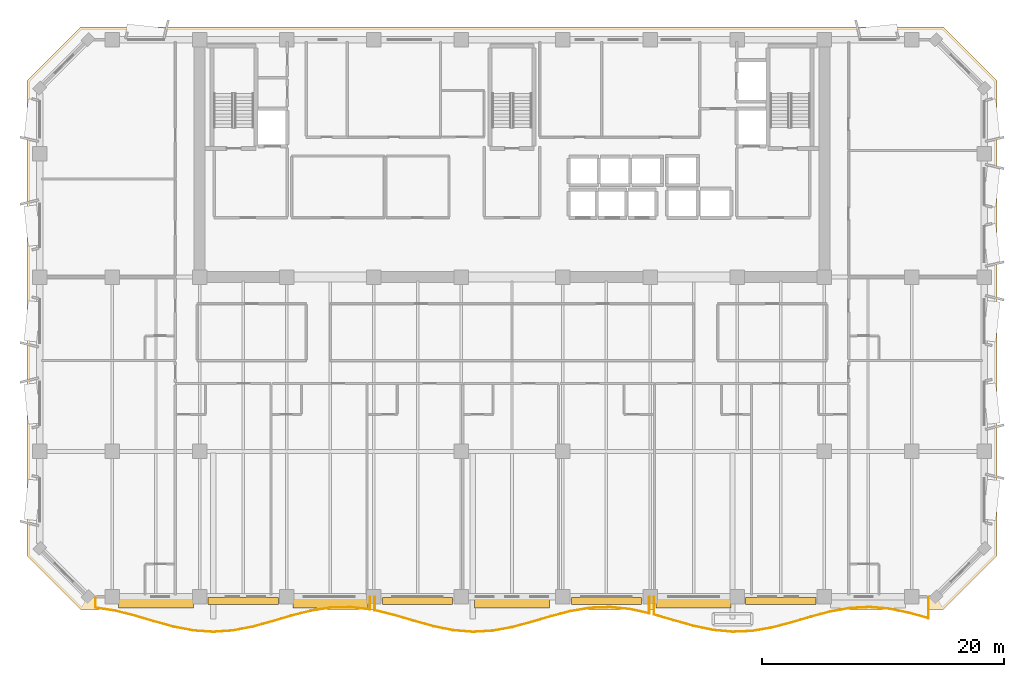
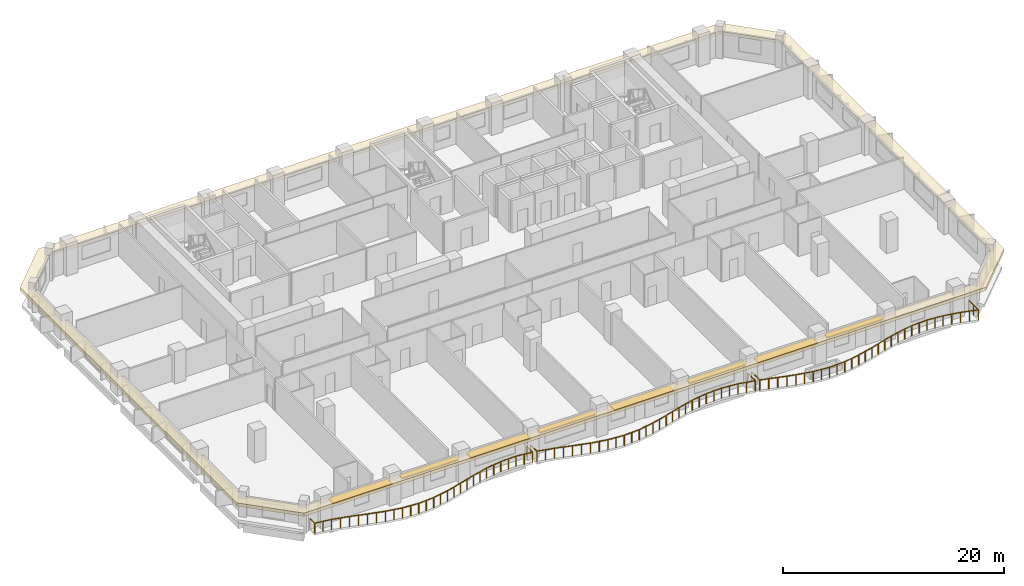
# One storey, part 11 of 15: 8 shading devices, 3 railings, 1 covering.
"""IFC4 building model written with IfcOpenShell, lengths in metres."""

from ifc_helpers import new_model, si_unit, direction, frame, origin, origin_2d, place, context, subcontext, project, spatial, polyline, rectangle, outline, extrude, material, layer, layer_set, type_object, element, save


model = new_model("IFC4")

# Units and contexts
model_context = context("Model", 3, precision=1e-05, world=origin(), true_north=direction((0.0, 1.0)))
body_context = subcontext(model_context, "Body", "Model", "MODEL_VIEW")
ifc_project = project(units=[si_unit("LENGTHUNIT", "METRE"), si_unit("AREAUNIT", "SQUARE_METRE"), si_unit("VOLUMEUNIT", "CUBIC_METRE"), si_unit("PLANEANGLEUNIT", "RADIAN"), si_unit("MASSUNIT", "GRAM", prefix="KILO")], contexts=[model_context])

# Site, building, storey
site_placement = place(None, origin())
site = spatial("IfcSite", under=ifc_project, at=site_placement, CompositionType="ELEMENT")
building_placement = place(site_placement, origin())
building = spatial("IfcBuilding", under=site, at=building_placement, Name="Kaelvorn Grand Hotel", CompositionType="ELEMENT")
storey_placement = place(building_placement, frame((0.0, 0.0, 177.14990234375)))
storey = spatial("IfcBuildingStorey", under=building, at=storey_placement, Name="L43", CompositionType="ELEMENT", Elevation=177.14990234375)

# Covering
ifc_material_1 = material(Name="Precast concrete C45/55", Category="concrete")
ifc_layer_1 = layer(ifc_material_1, 0.260009765625)
ifc_layer_set_1 = layer_set([ifc_layer_1], Name="Precast concrete C45/55")
covering_type = type_object("IfcCoveringType", Name="COV-BAND-STREAMLINE-HEAD", PredefinedType="CLADDING", material=ifc_layer_set_1)
covering_placement = place(storey_placement, frame((0.0, 0.0, 2.380126953125)))
element("IfcCovering", 1, at=covering_placement, inside=storey, type_object=covering_type, Name="L43 Streamline Moderne Wraparound Horizontal Eyebrow Band", PredefinedType="CLADDING", context=body_context, shape_type="SweptSolid", body=[
    extrude(outline(polyline([(6.389892578125, 1.949951171875), (77.610107421875, 1.949951171875), (82.050048828125, 6.389892578125), (82.050048828125, 45.610107421875), (77.610107421875, 50.050048828125), (6.389892578125, 50.050048828125), (1.949951171875, 45.610107421875), (1.949951171875, 6.389892578125), (6.389892578125, 1.949951171875)]), holes=[polyline([(7.02001953125, 3.030029296875), (76.97998046875, 3.030029296875), (80.969970703125, 7.02001953125), (80.969970703125, 44.97998046875), (76.97998046875, 48.969970703125), (7.02001953125, 48.969970703125), (3.030029296875, 44.97998046875), (3.030029296875, 7.02001953125), (7.02001953125, 3.030029296875)])]), origin(), (0.0, 0.0, 1.0), 0.35986328125),
])

# Railings
ifc_material_2 = material(Name="Stainless Steel", Category="steel")
railing_type = type_object("IfcRailingType", Name="RL-BALC-1150", PredefinedType="BALUSTRADE", material=ifc_material_2)
railing_1_placement = place(storey_placement, frame((7.60009765625, 3.0, 0.0)))
element("IfcRailing", 2, at=railing_1_placement, inside=storey, type_object=railing_type, Name="L43 Scalloped Wave Balcony Balustrade GR1-1", PredefinedType="BALUSTRADE", context=body_context, shape_type="SweptSolid", body=[
    extrude(rectangle(XDim=0.048095703125, YDim=0.048095703125, at=origin_2d()), frame((0.0, 0.0, 1.1259765625), z_axis=(0.0, -1.0, 0.0), x_axis=(1.0, 0.0, 0.0)), (0.0, 0.0, 1.0), 0.900146484375),
    extrude(rectangle(XDim=0.048095703125, YDim=0.048095703125, at=origin_2d()), frame((0.0, -0.900146484375, 1.1259765625), z_axis=(0.988307858042, -0.152471563682, 0.0), x_axis=(0.152471563682, 0.988307858042, 0.0)), (0.0, 0.0, 1.0), 1.637939453125),
    extrude(rectangle(XDim=0.048095703125, YDim=0.048095703125, at=origin_2d()), frame((1.618896484375, -1.14990234375, 1.1259765625), z_axis=(0.969728239304, -0.244186694758, 0.0), x_axis=(0.244186694758, 0.969728239304, 0.0)), (0.0, 0.0, 1.0), 1.669677734375),
    extrude(rectangle(XDim=0.048095703125, YDim=0.048095703125, at=origin_2d()), frame((3.238037109375, -1.5576171875, 1.1259765625), z_axis=(0.959259470677, -0.282526579133, 0.0), x_axis=(0.282526579133, 0.959259470677, 0.0)), (0.0, 0.0, 1.0), 1.687744140625),
    extrude(rectangle(XDim=0.048095703125, YDim=0.048095703125, at=origin_2d()), frame((4.85693359375, -2.034423828125, 1.1259765625), z_axis=(0.964679853883, -0.26342509279, 0.0), x_axis=(0.26342509279, 0.964679853883, 0.0)), (0.0, 0.0, 1.0), 1.678466796875),
    extrude(rectangle(XDim=0.048095703125, YDim=0.048095703125, at=origin_2d()), frame((6.47607421875, -2.4765625, 1.1259765625), z_axis=(0.982044449616, -0.188649672619, 0.0), x_axis=(0.188649672619, 0.982044449616, 0.0)), (0.0, 0.0, 1.0), 1.648681640625),
    extrude(rectangle(XDim=0.048095703125, YDim=0.048095703125, at=origin_2d()), frame((8.09521484375, -2.78759765625, 1.1259765625), z_axis=(0.997602472626, -0.069204816379, 0.0), x_axis=(0.069204816379, 0.997602472626, 0.0)), (0.0, 0.0, 1.0), 1.622802734375),
    extrude(rectangle(XDim=0.048095703125, YDim=0.048095703125, at=origin_2d()), frame((9.714111328125, -2.89990234375, 1.1259765625), z_axis=(0.997665093232, 0.068296132739, 0.0), x_axis=(-0.068296132739, 0.997665093232, 0.0)), (0.0, 0.0, 1.0), 1.623046875),
    extrude(rectangle(XDim=0.048095703125, YDim=0.048095703125, at=origin_2d()), frame((11.333251953125, -2.7890625, 1.1259765625), z_axis=(0.982181374251, 0.187935489132, 0.0), x_axis=(-0.187935489132, 0.982181374251, 0.0)), (0.0, 0.0, 1.0), 1.6484375),
    extrude(rectangle(XDim=0.048095703125, YDim=0.048095703125, at=origin_2d()), frame((12.952392578125, -2.479248046875, 1.1259765625), z_axis=(0.964780607215, 0.263055849471, 0.0), x_axis=(-0.263055849471, 0.964780607215, 0.0)), (0.0, 0.0, 1.0), 1.677978515625),
    extrude(rectangle(XDim=0.048095703125, YDim=0.048095703125, at=origin_2d()), frame((14.5712890625, -2.037841796875, 1.1259765625), z_axis=(0.959271015447, 0.282487378343, 0.0), x_axis=(-0.282487378343, 0.959271015447, 0.0)), (0.0, 0.0, 1.0), 1.68798828125),
    extrude(rectangle(XDim=0.048095703125, YDim=0.048095703125, at=origin_2d()), frame((16.1904296875, -1.56103515625, 1.1259765625), z_axis=(0.969580848493, 0.244771277391, 0.0), x_axis=(-0.244771277391, 0.969580848493, 0.0)), (0.0, 0.0, 1.0), 1.669677734375),
    extrude(rectangle(XDim=0.048095703125, YDim=0.048095703125, at=origin_2d()), frame((17.809326171875, -1.15234375, 1.1259765625), z_axis=(0.988176238823, 0.15332227831, 0.0), x_axis=(-0.15332227831, 0.988176238823, 0.0)), (0.0, 0.0, 1.0), 1.638427734375),
    extrude(rectangle(XDim=0.048095703125, YDim=0.048095703125, at=origin_2d()), frame((19.428466796875, -0.901123046875, 1.1259765625), z_axis=(0.999709108251, 0.024118434457, 0.0), x_axis=(-0.024118434457, 0.999709108251, 0.0)), (0.0, 0.0, 1.0), 1.61962890625),
    extrude(rectangle(XDim=0.048095703125, YDim=0.048095703125, at=origin_2d()), frame((21.047607421875, -0.862060546875, 1.1259765625), z_axis=(0.993780958286, -0.111352624341, 0.0), x_axis=(0.111352624341, 0.993780958286, 0.0)), (0.0, 0.0, 1.0), 1.62890625),
    extrude(rectangle(XDim=0.048095703125, YDim=0.048095703125, at=origin_2d()), frame((22.66650390625, -1.04345703125, 1.1259765625), z_axis=(0.0, 1.0, 0.0), x_axis=(-1.0, 0.0, 0.0)), (0.0, 0.0, 1.0), 1.04345703125),
    extrude(rectangle(XDim=0.0419921875, YDim=0.0419921875, at=origin_2d()), origin(), (0.0, 0.0, 1.0), 1.101806640625),
    extrude(rectangle(XDim=0.0419921875, YDim=0.0419921875, at=origin_2d()), frame((0.0, -0.900146484375, 0.0)), (0.0, 0.0, 1.0), 1.101806640625),
    extrude(rectangle(XDim=0.0419921875, YDim=0.0419921875, at=origin_2d()), frame((0.8095703125, -1.02490234375, 0.0)), (0.0, 0.0, 1.0), 1.101806640625),
    extrude(rectangle(XDim=0.0419921875, YDim=0.0419921875, at=origin_2d()), frame((1.618896484375, -1.14990234375, 0.0)), (0.0, 0.0, 1.0), 1.101806640625),
    extrude(rectangle(XDim=0.0419921875, YDim=0.0419921875, at=origin_2d()), frame((2.428466796875, -1.353759765625, 0.0)), (0.0, 0.0, 1.0), 1.101806640625),
    extrude(rectangle(XDim=0.0419921875, YDim=0.0419921875, at=origin_2d()), frame((3.238037109375, -1.5576171875, 0.0)), (0.0, 0.0, 1.0), 1.101806640625),
    extrude(rectangle(XDim=0.0419921875, YDim=0.0419921875, at=origin_2d()), frame((4.04736328125, -1.7958984375, 0.0)), (0.0, 0.0, 1.0), 1.101806640625),
    extrude(rectangle(XDim=0.0419921875, YDim=0.0419921875, at=origin_2d()), frame((4.85693359375, -2.034423828125, 0.0)), (0.0, 0.0, 1.0), 1.101806640625),
    extrude(rectangle(XDim=0.0419921875, YDim=0.0419921875, at=origin_2d()), frame((5.66650390625, -2.25537109375, 0.0)), (0.0, 0.0, 1.0), 1.101806640625),
    extrude(rectangle(XDim=0.0419921875, YDim=0.0419921875, at=origin_2d()), frame((6.47607421875, -2.4765625, 0.0)), (0.0, 0.0, 1.0), 1.101806640625),
    extrude(rectangle(XDim=0.0419921875, YDim=0.0419921875, at=origin_2d()), frame((7.28564453125, -2.632080078125, 0.0)), (0.0, 0.0, 1.0), 1.101806640625),
    extrude(rectangle(XDim=0.0419921875, YDim=0.0419921875, at=origin_2d()), frame((8.09521484375, -2.78759765625, 0.0)), (0.0, 0.0, 1.0), 1.101806640625),
    extrude(rectangle(XDim=0.0419921875, YDim=0.0419921875, at=origin_2d()), frame((8.90478515625, -2.84375, 0.0)), (0.0, 0.0, 1.0), 1.101806640625),
    extrude(rectangle(XDim=0.0419921875, YDim=0.0419921875, at=origin_2d()), frame((9.714111328125, -2.89990234375, 0.0)), (0.0, 0.0, 1.0), 1.101806640625),
    extrude(rectangle(XDim=0.0419921875, YDim=0.0419921875, at=origin_2d()), frame((10.523681640625, -2.844482421875, 0.0)), (0.0, 0.0, 1.0), 1.101806640625),
    extrude(rectangle(XDim=0.0419921875, YDim=0.0419921875, at=origin_2d()), frame((11.333251953125, -2.7890625, 0.0)), (0.0, 0.0, 1.0), 1.101806640625),
    extrude(rectangle(XDim=0.0419921875, YDim=0.0419921875, at=origin_2d()), frame((12.142822265625, -2.63427734375, 0.0)), (0.0, 0.0, 1.0), 1.101806640625),
    extrude(rectangle(XDim=0.0419921875, YDim=0.0419921875, at=origin_2d()), frame((12.952392578125, -2.479248046875, 0.0)), (0.0, 0.0, 1.0), 1.101806640625),
    extrude(rectangle(XDim=0.0419921875, YDim=0.0419921875, at=origin_2d()), frame((13.76171875, -2.258544921875, 0.0)), (0.0, 0.0, 1.0), 1.101806640625),
    extrude(rectangle(XDim=0.0419921875, YDim=0.0419921875, at=origin_2d()), frame((14.5712890625, -2.037841796875, 0.0)), (0.0, 0.0, 1.0), 1.101806640625),
    extrude(rectangle(XDim=0.0419921875, YDim=0.0419921875, at=origin_2d()), frame((15.380859375, -1.79931640625, 0.0)), (0.0, 0.0, 1.0), 1.101806640625),
    extrude(rectangle(XDim=0.0419921875, YDim=0.0419921875, at=origin_2d()), frame((16.1904296875, -1.56103515625, 0.0)), (0.0, 0.0, 1.0), 1.101806640625),
    extrude(rectangle(XDim=0.0419921875, YDim=0.0419921875, at=origin_2d()), frame((17.0, -1.356689453125, 0.0)), (0.0, 0.0, 1.0), 1.101806640625),
    extrude(rectangle(XDim=0.0419921875, YDim=0.0419921875, at=origin_2d()), frame((17.809326171875, -1.15234375, 0.0)), (0.0, 0.0, 1.0), 1.101806640625),
    extrude(rectangle(XDim=0.0419921875, YDim=0.0419921875, at=origin_2d()), frame((18.618896484375, -1.02685546875, 0.0)), (0.0, 0.0, 1.0), 1.101806640625),
    extrude(rectangle(XDim=0.0419921875, YDim=0.0419921875, at=origin_2d()), frame((19.428466796875, -0.901123046875, 0.0)), (0.0, 0.0, 1.0), 1.101806640625),
    extrude(rectangle(XDim=0.0419921875, YDim=0.0419921875, at=origin_2d()), frame((20.238037109375, -0.881591796875, 0.0)), (0.0, 0.0, 1.0), 1.101806640625),
    extrude(rectangle(XDim=0.0419921875, YDim=0.0419921875, at=origin_2d()), frame((21.047607421875, -0.862060546875, 0.0)), (0.0, 0.0, 1.0), 1.101806640625),
    extrude(rectangle(XDim=0.0419921875, YDim=0.0419921875, at=origin_2d()), frame((21.85693359375, -0.95263671875, 0.0)), (0.0, 0.0, 1.0), 1.101806640625),
    extrude(rectangle(XDim=0.0419921875, YDim=0.0419921875, at=origin_2d()), frame((22.66650390625, -1.04345703125, 0.0)), (0.0, 0.0, 1.0), 1.101806640625),
    extrude(rectangle(XDim=0.0419921875, YDim=0.0419921875, at=origin_2d()), frame((22.66650390625, 0.0, 0.0)), (0.0, 0.0, 1.0), 1.101806640625),
])
railing_2_placement = place(storey_placement, frame((30.666748046875, 3.0, 0.0)))
element("IfcRailing", 3, at=railing_2_placement, inside=storey, type_object=railing_type, Name="L43 Scalloped Wave Balcony Balustrade GR1-2", PredefinedType="BALUSTRADE", context=body_context, shape_type="SweptSolid", body=[
    extrude(rectangle(XDim=0.048095703125, YDim=0.048095703125, at=origin_2d()), frame((0.0, 0.0, 1.1259765625), z_axis=(0.0, -1.0, 0.0), x_axis=(1.0, 0.0, 0.0)), (0.0, 0.0, 1.0), 1.11865234375),
    extrude(rectangle(XDim=0.048095703125, YDim=0.048095703125, at=origin_2d()), frame((0.0, -1.11865234375, 1.1259765625), z_axis=(0.9713283842, -0.237741813838, 0.0), x_axis=(0.237741813838, 0.9713283842, 0.0)), (0.0, 0.0, 1.0), 1.666748046875),
    extrude(rectangle(XDim=0.048095703125, YDim=0.048095703125, at=origin_2d()), frame((1.618896484375, -1.514892578125, 1.1259765625), z_axis=(0.959623156728, -0.281288814337, 0.0), x_axis=(0.281288814337, 0.959623156728, 0.0)), (0.0, 0.0, 1.0), 1.687255859375),
    extrude(rectangle(XDim=0.048095703125, YDim=0.048095703125, at=origin_2d()), frame((3.238037109375, -1.989501953125, 1.1259765625), z_axis=(0.963526234918, -0.267613890941, 0.0), x_axis=(0.267613890941, 0.963526234918, 0.0)), (0.0, 0.0, 1.0), 1.680419921875),
    extrude(rectangle(XDim=0.048095703125, YDim=0.048095703125, at=origin_2d()), frame((4.857177734375, -2.439208984375, 1.1259765625), z_axis=(0.980215115577, -0.197935159065, 0.0), x_axis=(0.197935159065, 0.980215115577, 0.0)), (0.0, 0.0, 1.0), 1.651611328125),
    extrude(rectangle(XDim=0.048095703125, YDim=0.048095703125, at=origin_2d()), frame((6.47607421875, -2.76611328125, 1.1259765625), z_axis=(0.996652705427, -0.081751971012, 0.0), x_axis=(0.081751971012, 0.996652705427, 0.0)), (0.0, 0.0, 1.0), 1.62451171875),
    extrude(rectangle(XDim=0.048095703125, YDim=0.048095703125, at=origin_2d()), frame((8.09521484375, -2.89892578125, 1.1259765625), z_axis=(0.998455252645, 0.055561753616, 0.0), x_axis=(-0.055561753616, 0.998455252645, 0.0)), (0.0, 0.0, 1.0), 1.621337890625),
    extrude(rectangle(XDim=0.048095703125, YDim=0.048095703125, at=origin_2d()), frame((9.714111328125, -2.808837890625, 1.1259765625), z_axis=(0.983969459858, 0.178337046253, 0.0), x_axis=(-0.178337046253, 0.983969459858, 0.0)), (0.0, 0.0, 1.0), 1.6455078125),
    extrude(rectangle(XDim=0.048095703125, YDim=0.048095703125, at=origin_2d()), frame((11.333251953125, -2.515380859375, 1.1259765625), z_axis=(0.966072760568, 0.258270054959, 0.0), x_axis=(-0.258270054959, 0.966072760568, 0.0)), (0.0, 0.0, 1.0), 1.676025390625),
    extrude(rectangle(XDim=0.048095703125, YDim=0.048095703125, at=origin_2d()), frame((12.952392578125, -2.08251953125, 1.1259765625), z_axis=(0.959063249993, 0.283191953474, 0.0), x_axis=(-0.283191953474, 0.959063249993, 0.0)), (0.0, 0.0, 1.0), 1.68798828125),
    extrude(rectangle(XDim=0.048095703125, YDim=0.048095703125, at=origin_2d()), frame((14.5712890625, -1.6044921875, 1.1259765625), z_axis=(0.968082211029, 0.250632864345, 0.0), x_axis=(-0.250632864345, 0.968082211029, 0.0)), (0.0, 0.0, 1.0), 1.672607421875),
    extrude(rectangle(XDim=0.048095703125, YDim=0.048095703125, at=origin_2d()), frame((16.1904296875, -1.185302734375, 1.1259765625), z_axis=(0.986470210909, 0.163940608117, 0.0), x_axis=(-0.163940608117, 0.986470210909, 0.0)), (0.0, 0.0, 1.0), 1.64111328125),
    extrude(rectangle(XDim=0.048095703125, YDim=0.048095703125, at=origin_2d()), frame((17.809326171875, -0.916259765625, 1.1259765625), z_axis=(0.999312768097, 0.037067391579, 0.0), x_axis=(-0.037067391579, 0.999312768097, 0.0)), (0.0, 0.0, 1.0), 1.620361328125),
    extrude(rectangle(XDim=0.048095703125, YDim=0.048095703125, at=origin_2d()), frame((19.428466796875, -0.856201171875, 1.1259765625), z_axis=(0.995069818667, -0.099176892361, 0.0), x_axis=(0.099176892361, 0.995069818667, 0.0)), (0.0, 0.0, 1.0), 1.627197265625),
    extrude(rectangle(XDim=0.048095703125, YDim=0.048095703125, at=origin_2d()), frame((21.047607421875, -1.017578125, 1.1259765625), z_axis=(0.977618649076, -0.210384830679, 0.0), x_axis=(0.210384830679, 0.977618649076, 0.0)), (0.0, 0.0, 1.0), 1.656005859375),
    extrude(rectangle(XDim=0.048095703125, YDim=0.048095703125, at=origin_2d()), frame((22.66650390625, -1.365966796875, 1.1259765625), z_axis=(0.0, 1.0, 0.0), x_axis=(-1.0, 0.0, 0.0)), (0.0, 0.0, 1.0), 1.365966796875),
    extrude(rectangle(XDim=0.0419921875, YDim=0.0419921875, at=origin_2d()), origin(), (0.0, 0.0, 1.0), 1.101806640625),
    extrude(rectangle(XDim=0.0419921875, YDim=0.0419921875, at=origin_2d()), frame((0.0, -1.11865234375, 0.0)), (0.0, 0.0, 1.0), 1.101806640625),
    extrude(rectangle(XDim=0.0419921875, YDim=0.0419921875, at=origin_2d()), frame((0.8095703125, -1.31689453125, 0.0)), (0.0, 0.0, 1.0), 1.101806640625),
    extrude(rectangle(XDim=0.0419921875, YDim=0.0419921875, at=origin_2d()), frame((1.618896484375, -1.514892578125, 0.0)), (0.0, 0.0, 1.0), 1.101806640625),
    extrude(rectangle(XDim=0.0419921875, YDim=0.0419921875, at=origin_2d()), frame((2.428466796875, -1.752197265625, 0.0)), (0.0, 0.0, 1.0), 1.101806640625),
    extrude(rectangle(XDim=0.0419921875, YDim=0.0419921875, at=origin_2d()), frame((3.238037109375, -1.989501953125, 0.0)), (0.0, 0.0, 1.0), 1.101806640625),
    extrude(rectangle(XDim=0.0419921875, YDim=0.0419921875, at=origin_2d()), frame((4.047607421875, -2.21435546875, 0.0)), (0.0, 0.0, 1.0), 1.101806640625),
    extrude(rectangle(XDim=0.0419921875, YDim=0.0419921875, at=origin_2d()), frame((4.857177734375, -2.439208984375, 0.0)), (0.0, 0.0, 1.0), 1.101806640625),
    extrude(rectangle(XDim=0.0419921875, YDim=0.0419921875, at=origin_2d()), frame((5.66650390625, -2.6025390625, 0.0)), (0.0, 0.0, 1.0), 1.101806640625),
    extrude(rectangle(XDim=0.0419921875, YDim=0.0419921875, at=origin_2d()), frame((6.47607421875, -2.76611328125, 0.0)), (0.0, 0.0, 1.0), 1.101806640625),
    extrude(rectangle(XDim=0.0419921875, YDim=0.0419921875, at=origin_2d()), frame((7.28564453125, -2.83251953125, 0.0)), (0.0, 0.0, 1.0), 1.101806640625),
    extrude(rectangle(XDim=0.0419921875, YDim=0.0419921875, at=origin_2d()), frame((8.09521484375, -2.89892578125, 0.0)), (0.0, 0.0, 1.0), 1.101806640625),
    extrude(rectangle(XDim=0.0419921875, YDim=0.0419921875, at=origin_2d()), frame((8.90478515625, -2.85400390625, 0.0)), (0.0, 0.0, 1.0), 1.101806640625),
    extrude(rectangle(XDim=0.0419921875, YDim=0.0419921875, at=origin_2d()), frame((9.714111328125, -2.808837890625, 0.0)), (0.0, 0.0, 1.0), 1.101806640625),
    extrude(rectangle(XDim=0.0419921875, YDim=0.0419921875, at=origin_2d()), frame((10.523681640625, -2.662109375, 0.0)), (0.0, 0.0, 1.0), 1.101806640625),
    extrude(rectangle(XDim=0.0419921875, YDim=0.0419921875, at=origin_2d()), frame((11.333251953125, -2.515380859375, 0.0)), (0.0, 0.0, 1.0), 1.101806640625),
    extrude(rectangle(XDim=0.0419921875, YDim=0.0419921875, at=origin_2d()), frame((12.142822265625, -2.298828125, 0.0)), (0.0, 0.0, 1.0), 1.101806640625),
    extrude(rectangle(XDim=0.0419921875, YDim=0.0419921875, at=origin_2d()), frame((12.952392578125, -2.08251953125, 0.0)), (0.0, 0.0, 1.0), 1.101806640625),
    extrude(rectangle(XDim=0.0419921875, YDim=0.0419921875, at=origin_2d()), frame((13.76171875, -1.843505859375, 0.0)), (0.0, 0.0, 1.0), 1.101806640625),
    extrude(rectangle(XDim=0.0419921875, YDim=0.0419921875, at=origin_2d()), frame((14.5712890625, -1.6044921875, 0.0)), (0.0, 0.0, 1.0), 1.101806640625),
    extrude(rectangle(XDim=0.0419921875, YDim=0.0419921875, at=origin_2d()), frame((15.380859375, -1.39501953125, 0.0)), (0.0, 0.0, 1.0), 1.101806640625),
    extrude(rectangle(XDim=0.0419921875, YDim=0.0419921875, at=origin_2d()), frame((16.1904296875, -1.185302734375, 0.0)), (0.0, 0.0, 1.0), 1.101806640625),
    extrude(rectangle(XDim=0.0419921875, YDim=0.0419921875, at=origin_2d()), frame((17.0, -1.05078125, 0.0)), (0.0, 0.0, 1.0), 1.101806640625),
    extrude(rectangle(XDim=0.0419921875, YDim=0.0419921875, at=origin_2d()), frame((17.809326171875, -0.916259765625, 0.0)), (0.0, 0.0, 1.0), 1.101806640625),
    extrude(rectangle(XDim=0.0419921875, YDim=0.0419921875, at=origin_2d()), frame((18.618896484375, -0.88623046875, 0.0)), (0.0, 0.0, 1.0), 1.101806640625),
    extrude(rectangle(XDim=0.0419921875, YDim=0.0419921875, at=origin_2d()), frame((19.428466796875, -0.856201171875, 0.0)), (0.0, 0.0, 1.0), 1.101806640625),
    extrude(rectangle(XDim=0.0419921875, YDim=0.0419921875, at=origin_2d()), frame((20.238037109375, -0.93701171875, 0.0)), (0.0, 0.0, 1.0), 1.101806640625),
    extrude(rectangle(XDim=0.0419921875, YDim=0.0419921875, at=origin_2d()), frame((21.047607421875, -1.017578125, 0.0)), (0.0, 0.0, 1.0), 1.101806640625),
    extrude(rectangle(XDim=0.0419921875, YDim=0.0419921875, at=origin_2d()), frame((21.85693359375, -1.19189453125, 0.0)), (0.0, 0.0, 1.0), 1.101806640625),
    extrude(rectangle(XDim=0.0419921875, YDim=0.0419921875, at=origin_2d()), frame((22.66650390625, -1.365966796875, 0.0)), (0.0, 0.0, 1.0), 1.101806640625),
    extrude(rectangle(XDim=0.0419921875, YDim=0.0419921875, at=origin_2d()), frame((22.66650390625, 0.0, 0.0)), (0.0, 0.0, 1.0), 1.101806640625),
])
railing_3_placement = place(storey_placement, frame((53.7333984375, 3.0, 0.0)))
element("IfcRailing", 4, at=railing_3_placement, inside=storey, type_object=railing_type, Name="L43 Scalloped Wave Balcony Balustrade GR1-3", PredefinedType="BALUSTRADE", context=body_context, shape_type="SweptSolid", body=[
    extrude(rectangle(XDim=0.048095703125, YDim=0.048095703125, at=origin_2d()), frame((0.0, 0.0, 1.1259765625), z_axis=(0.0, -1.0, 0.0), x_axis=(1.0, 0.0, 0.0)), (0.0, 0.0, 1.0), 1.47265625),
    extrude(rectangle(XDim=0.048095703125, YDim=0.048095703125, at=origin_2d()), frame((0.0, -1.47265625, 1.1259765625), z_axis=(0.960079420187, -0.279727558408, 0.0), x_axis=(0.279727558408, 0.960079420187, 0.0)), (0.0, 0.0, 1.0), 1.686279296875),
    extrude(rectangle(XDim=0.048095703125, YDim=0.048095703125, at=origin_2d()), frame((1.618896484375, -1.9443359375, 1.1259765625), z_axis=(0.962508960519, -0.271249886491, 0.0), x_axis=(0.271249886491, 0.962508960519, 0.0)), (0.0, 0.0, 1.0), 1.68212890625),
    extrude(rectangle(XDim=0.048095703125, YDim=0.048095703125, at=origin_2d()), frame((3.238037109375, -2.400634765625, 1.1259765625), z_axis=(0.978407110046, -0.206687026715, 0.0), x_axis=(0.206687026715, 0.978407110046, 0.0)), (0.0, 0.0, 1.0), 1.65478515625),
    extrude(rectangle(XDim=0.048095703125, YDim=0.048095703125, at=origin_2d()), frame((4.857177734375, -2.74267578125, 1.1259765625), z_axis=(0.995559348542, -0.094135984246, 0.0), x_axis=(0.094135984246, 0.995559348542, 0.0)), (0.0, 0.0, 1.0), 1.626220703125),
    extrude(rectangle(XDim=0.048095703125, YDim=0.048095703125, at=origin_2d()), frame((6.47607421875, -2.895751953125, 1.1259765625), z_axis=(0.99909079622, 0.042633096401, 0.0), x_axis=(-0.042633096401, 0.99909079622, 0.0)), (0.0, 0.0, 1.0), 1.62060546875),
    extrude(rectangle(XDim=0.048095703125, YDim=0.048095703125, at=origin_2d()), frame((8.09521484375, -2.82666015625, 1.1259765625), z_axis=(0.985739432849, 0.168278847532, 0.0), x_axis=(-0.168278847532, 0.985739432849, 0.0)), (0.0, 0.0, 1.0), 1.642333984375),
    extrude(rectangle(XDim=0.048095703125, YDim=0.048095703125, at=origin_2d()), frame((9.714111328125, -2.55029296875, 1.1259765625), z_axis=(0.967441989908, 0.25309286075, 0.0), x_axis=(-0.25309286075, 0.967441989908, 0.0)), (0.0, 0.0, 1.0), 1.673583984375),
    extrude(rectangle(XDim=0.048095703125, YDim=0.048095703125, at=origin_2d()), frame((11.333251953125, -2.126708984375, 1.1259765625), z_axis=(0.959074846834, 0.283152676433, 0.0), x_axis=(-0.283152676433, 0.959074846834, 0.0)), (0.0, 0.0, 1.0), 1.688232421875),
    extrude(rectangle(XDim=0.048095703125, YDim=0.048095703125, at=origin_2d()), frame((12.952392578125, -1.648681640625, 1.1259765625), z_axis=(0.966642622389, 0.256128953029, 0.0), x_axis=(-0.256128953029, 0.966642622389, 0.0)), (0.0, 0.0, 1.0), 1.6748046875),
    extrude(rectangle(XDim=0.048095703125, YDim=0.048095703125, at=origin_2d()), frame((14.5712890625, -1.2197265625, 1.1259765625), z_axis=(0.984716220837, 0.174166484777, 0.0), x_axis=(-0.174166484777, 0.984716220837, 0.0)), (0.0, 0.0, 1.0), 1.644287109375),
    extrude(rectangle(XDim=0.048095703125, YDim=0.048095703125, at=origin_2d()), frame((16.1904296875, -0.933349609375, 1.1259765625), z_axis=(0.998741801419, 0.050147922176, 0.0), x_axis=(-0.050147922176, 0.998741801419, 0.0)), (0.0, 0.0, 1.0), 1.62109375),
    extrude(rectangle(XDim=0.048095703125, YDim=0.048095703125, at=origin_2d()), frame((17.8095703125, -0.85205078125, 1.1259765625), z_axis=(0.996196489167, -0.087135268243, 0.0), x_axis=(0.087135268243, 0.996196489167, 0.0)), (0.0, 0.0, 1.0), 1.625),
    extrude(rectangle(XDim=0.048095703125, YDim=0.048095703125, at=origin_2d()), frame((19.428466796875, -0.99365234375, 1.1259765625), z_axis=(0.979469052687, -0.201594580355, 0.0), x_axis=(0.201594580355, 0.979469052687, 0.0)), (0.0, 0.0, 1.0), 1.653076171875),
    extrude(rectangle(XDim=0.048095703125, YDim=0.048095703125, at=origin_2d()), frame((21.047607421875, -1.326904296875, 1.1259765625), z_axis=(0.963027343194, -0.269403667867, 0.0), x_axis=(0.269403667867, 0.963027343194, 0.0)), (0.0, 0.0, 1.0), 1.68115234375),
    extrude(rectangle(XDim=0.048095703125, YDim=0.048095703125, at=origin_2d()), frame((22.66650390625, -1.77978515625, 1.1259765625), z_axis=(0.0, 1.0, 0.0), x_axis=(-1.0, 0.0, 0.0)), (0.0, 0.0, 1.0), 1.77978515625),
    extrude(rectangle(XDim=0.0419921875, YDim=0.0419921875, at=origin_2d()), origin(), (0.0, 0.0, 1.0), 1.101806640625),
    extrude(rectangle(XDim=0.0419921875, YDim=0.0419921875, at=origin_2d()), frame((0.0, -1.47265625, 0.0)), (0.0, 0.0, 1.0), 1.101806640625),
    extrude(rectangle(XDim=0.0419921875, YDim=0.0419921875, at=origin_2d()), frame((0.8095703125, -1.70849609375, 0.0)), (0.0, 0.0, 1.0), 1.101806640625),
    extrude(rectangle(XDim=0.0419921875, YDim=0.0419921875, at=origin_2d()), frame((1.618896484375, -1.9443359375, 0.0)), (0.0, 0.0, 1.0), 1.101806640625),
    extrude(rectangle(XDim=0.0419921875, YDim=0.0419921875, at=origin_2d()), frame((2.428466796875, -2.17236328125, 0.0)), (0.0, 0.0, 1.0), 1.101806640625),
    extrude(rectangle(XDim=0.0419921875, YDim=0.0419921875, at=origin_2d()), frame((3.238037109375, -2.400634765625, 0.0)), (0.0, 0.0, 1.0), 1.101806640625),
    extrude(rectangle(XDim=0.0419921875, YDim=0.0419921875, at=origin_2d()), frame((4.047607421875, -2.57177734375, 0.0)), (0.0, 0.0, 1.0), 1.101806640625),
    extrude(rectangle(XDim=0.0419921875, YDim=0.0419921875, at=origin_2d()), frame((4.857177734375, -2.74267578125, 0.0)), (0.0, 0.0, 1.0), 1.101806640625),
    extrude(rectangle(XDim=0.0419921875, YDim=0.0419921875, at=origin_2d()), frame((5.66650390625, -2.8193359375, 0.0)), (0.0, 0.0, 1.0), 1.101806640625),
    extrude(rectangle(XDim=0.0419921875, YDim=0.0419921875, at=origin_2d()), frame((6.47607421875, -2.895751953125, 0.0)), (0.0, 0.0, 1.0), 1.101806640625),
    extrude(rectangle(XDim=0.0419921875, YDim=0.0419921875, at=origin_2d()), frame((7.28564453125, -2.861328125, 0.0)), (0.0, 0.0, 1.0), 1.101806640625),
    extrude(rectangle(XDim=0.0419921875, YDim=0.0419921875, at=origin_2d()), frame((8.09521484375, -2.82666015625, 0.0)), (0.0, 0.0, 1.0), 1.101806640625),
    extrude(rectangle(XDim=0.0419921875, YDim=0.0419921875, at=origin_2d()), frame((8.90478515625, -2.6884765625, 0.0)), (0.0, 0.0, 1.0), 1.101806640625),
    extrude(rectangle(XDim=0.0419921875, YDim=0.0419921875, at=origin_2d()), frame((9.714111328125, -2.55029296875, 0.0)), (0.0, 0.0, 1.0), 1.101806640625),
    extrude(rectangle(XDim=0.0419921875, YDim=0.0419921875, at=origin_2d()), frame((10.523681640625, -2.33837890625, 0.0)), (0.0, 0.0, 1.0), 1.101806640625),
    extrude(rectangle(XDim=0.0419921875, YDim=0.0419921875, at=origin_2d()), frame((11.333251953125, -2.126708984375, 0.0)), (0.0, 0.0, 1.0), 1.101806640625),
    extrude(rectangle(XDim=0.0419921875, YDim=0.0419921875, at=origin_2d()), frame((12.142822265625, -1.8876953125, 0.0)), (0.0, 0.0, 1.0), 1.101806640625),
    extrude(rectangle(XDim=0.0419921875, YDim=0.0419921875, at=origin_2d()), frame((12.952392578125, -1.648681640625, 0.0)), (0.0, 0.0, 1.0), 1.101806640625),
    extrude(rectangle(XDim=0.0419921875, YDim=0.0419921875, at=origin_2d()), frame((13.76171875, -1.43408203125, 0.0)), (0.0, 0.0, 1.0), 1.101806640625),
    extrude(rectangle(XDim=0.0419921875, YDim=0.0419921875, at=origin_2d()), frame((14.5712890625, -1.2197265625, 0.0)), (0.0, 0.0, 1.0), 1.101806640625),
    extrude(rectangle(XDim=0.0419921875, YDim=0.0419921875, at=origin_2d()), frame((15.380859375, -1.07666015625, 0.0)), (0.0, 0.0, 1.0), 1.101806640625),
    extrude(rectangle(XDim=0.0419921875, YDim=0.0419921875, at=origin_2d()), frame((16.1904296875, -0.933349609375, 0.0)), (0.0, 0.0, 1.0), 1.101806640625),
    extrude(rectangle(XDim=0.0419921875, YDim=0.0419921875, at=origin_2d()), frame((17.0, -0.892578125, 0.0)), (0.0, 0.0, 1.0), 1.101806640625),
    extrude(rectangle(XDim=0.0419921875, YDim=0.0419921875, at=origin_2d()), frame((17.8095703125, -0.85205078125, 0.0)), (0.0, 0.0, 1.0), 1.101806640625),
    extrude(rectangle(XDim=0.0419921875, YDim=0.0419921875, at=origin_2d()), frame((18.619140625, -0.9228515625, 0.0)), (0.0, 0.0, 1.0), 1.101806640625),
    extrude(rectangle(XDim=0.0419921875, YDim=0.0419921875, at=origin_2d()), frame((19.428466796875, -0.99365234375, 0.0)), (0.0, 0.0, 1.0), 1.101806640625),
    extrude(rectangle(XDim=0.0419921875, YDim=0.0419921875, at=origin_2d()), frame((20.238037109375, -1.16015625, 0.0)), (0.0, 0.0, 1.0), 1.101806640625),
    extrude(rectangle(XDim=0.0419921875, YDim=0.0419921875, at=origin_2d()), frame((21.047607421875, -1.326904296875, 0.0)), (0.0, 0.0, 1.0), 1.101806640625),
    extrude(rectangle(XDim=0.0419921875, YDim=0.0419921875, at=origin_2d()), frame((21.85693359375, -1.55322265625, 0.0)), (0.0, 0.0, 1.0), 1.101806640625),
    extrude(rectangle(XDim=0.0419921875, YDim=0.0419921875, at=origin_2d()), frame((22.66650390625, -1.77978515625, 0.0)), (0.0, 0.0, 1.0), 1.101806640625),
    extrude(rectangle(XDim=0.0419921875, YDim=0.0419921875, at=origin_2d()), frame((22.66650390625, -0.889892578125, 0.0)), (0.0, 0.0, 1.0), 1.101806640625),
    extrude(rectangle(XDim=0.0419921875, YDim=0.0419921875, at=origin_2d()), frame((22.66650390625, 0.0, 0.0)), (0.0, 0.0, 1.0), 1.101806640625),
])

# Shading devices
ifc_layer_2 = layer(ifc_material_1, 0.1201171875)
ifc_layer_set_2 = layer_set([ifc_layer_2], Name="Precast concrete C45/55")
shading_device_type_1 = type_object("IfcShadingDeviceType", Name="SHD-SUNSHADE-550", PredefinedType="USERDEFINED", material=ifc_layer_set_2)
for number, where, z_axis, x_axis, name in (
    (5, (19.800048828125, 2.64501953125, 2.56005859375), (0.0, 0.0, 1.0), (1.0, 0.0, 0.0), "L43 Horizontal Concrete Sunshade Band SS-03"),
    (6, (34.199951171875, 2.64501953125, 2.56005859375), (0.0, 0.0, 1.0), (1.0, 0.0, 0.0), "L43 Horizontal Concrete Sunshade Band SS-05"),
    (7, (49.800048828125, 2.64501953125, 2.56005859375), (0.0, 0.0, 1.0), (1.0, 0.0, 0.0), "L43 Horizontal Concrete Sunshade Band SS-07"),
    (8, (64.199951171875, 2.64501953125, 2.56005859375), (0.0, 0.0, 1.0), (1.0, 0.0, 0.0), "L43 Horizontal Concrete Sunshade Band SS-09"),
):
    element("IfcShadingDevice", number, at=place(storey_placement, frame(where, z_axis=z_axis, x_axis=x_axis)), inside=storey, type_object=shading_device_type_1, Name=name, ObjectType="SUNSHADE", PredefinedType="USERDEFINED", context=body_context, shape_type="SweptSolid", body=[
        extrude(rectangle(XDim=5.800048828125, YDim=0.550048828125, at=origin_2d()), origin(), (0.0, 0.0, 1.0), 0.1201171875),
    ])
ifc_layer_3 = layer(ifc_material_1, 0.139892578125)
ifc_layer_set_3 = layer_set([ifc_layer_3], Name="Precast concrete C45/55")
shading_device_type_2 = type_object("IfcShadingDeviceType", Name="SHD-SUNSHADE-850", PredefinedType="USERDEFINED", material=ifc_layer_set_3)
for number, where, z_axis, x_axis, name in (
    (9, (12.60009765625, 2.4951171875, 2.55029296875), (0.0, 0.0, 1.0), (1.0, 0.0, 0.0), "L43 Horizontal Concrete Sunshade Band SS-02"),
    (10, (27.0, 2.4951171875, 2.55029296875), (0.0, 0.0, 1.0), (1.0, 0.0, 0.0), "L43 Horizontal Concrete Sunshade Band SS-04"),
    (11, (42.0, 2.4951171875, 2.55029296875), (0.0, 0.0, 1.0), (1.0, 0.0, 0.0), "L43 Horizontal Concrete Sunshade Band SS-06"),
    (12, (57.0, 2.4951171875, 2.55029296875), (0.0, 0.0, 1.0), (1.0, 0.0, 0.0), "L43 Horizontal Concrete Sunshade Band SS-08"),
):
    element("IfcShadingDevice", number, at=place(storey_placement, frame(where, z_axis=z_axis, x_axis=x_axis)), inside=storey, type_object=shading_device_type_2, Name=name, ObjectType="SUNSHADE", PredefinedType="USERDEFINED", context=body_context, shape_type="SweptSolid", body=[
        extrude(rectangle(XDim=6.199951171875, YDim=0.85009765625, at=origin_2d()), origin(), (0.0, 0.0, 1.0), 0.139892578125),
    ])

save(model, "model.ifc")
